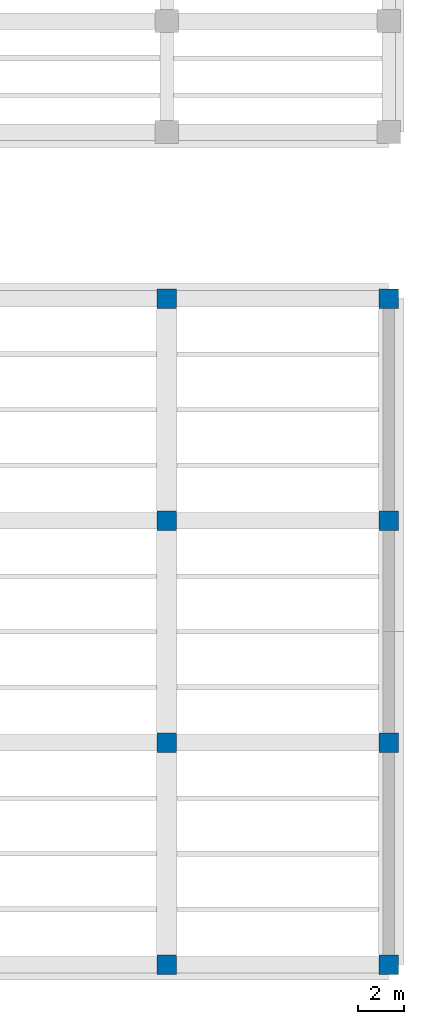
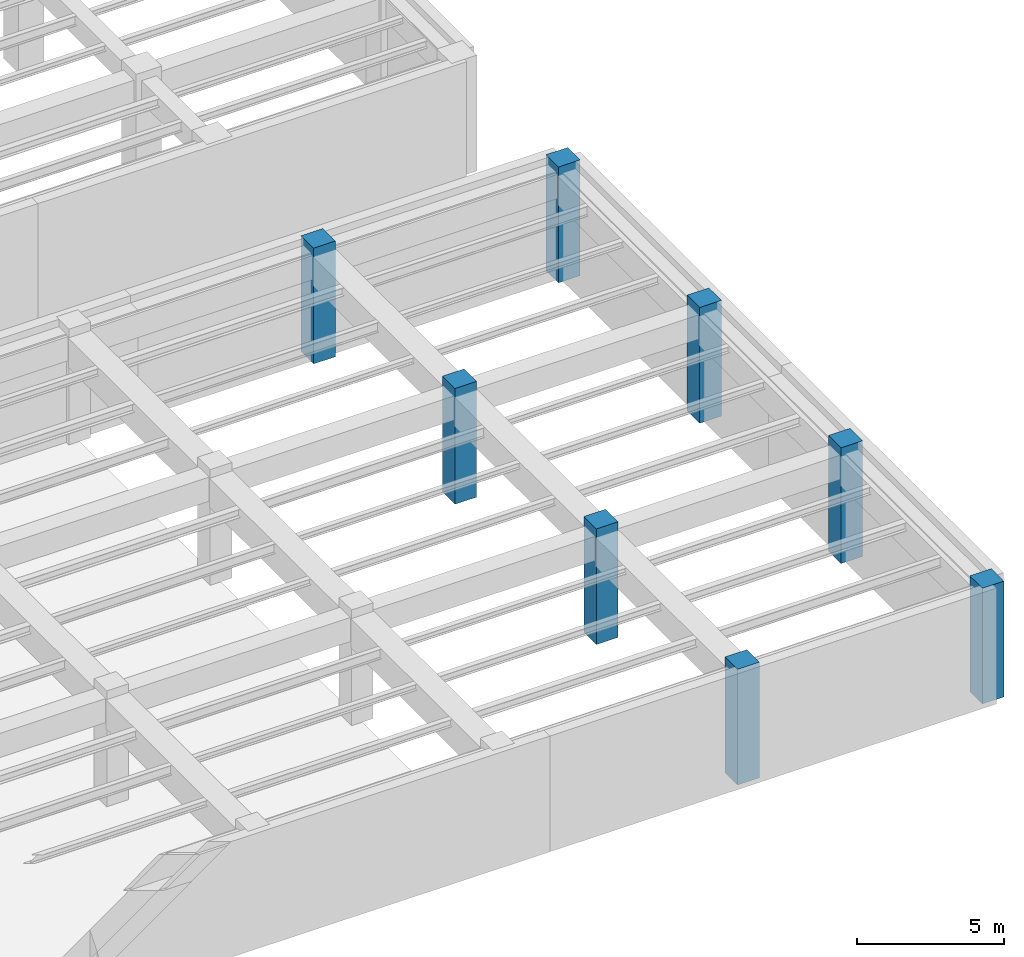
# One storey, part 12 of 45: 8 columns.
"""IFC4 building model written with IfcOpenShell, lengths in metres."""

import ifcopenshell
import ifcopenshell.guid

model = None  # the IFC model being written
_history = None  # IfcOwnerHistory: only IFC2X3 demands one
_inside = {}  # id of a spatial element -> (the spatial element, [elements in it])
_under = {}  # id of a project, library or spatial element -> (it, [spatial elements below it])
_declared = {}  # id of a project -> (the project, [libraries it declares])
_typed = {}  # id of a type object -> (the type object, [elements of that type])
_made_of = {}  # id of a material, layer set ... -> (it, [elements and type objects made of it])


def new_model(schema):
    """Start an empty IFC model of exactly this schema.

    Asked for "IFC4X3", IfcOpenShell would pick the latest addendum, in which some entities
    have other attributes; the version numbers below select the first issue.
    IFC2X3 requires an IfcOwnerHistory on every rooted entity: one is made here for all.
    """
    global model, _history
    if schema == "IFC4X3":
        model = ifcopenshell.file(schema_version=(4, 3, 0, 0))
    else:
        model = ifcopenshell.file(schema=schema)
    _inside.clear()
    _under.clear()
    _declared.clear()
    _typed.clear()
    _made_of.clear()
    _history = None
    if model.schema == "IFC2X3":
        org = make("IfcOrganization", Name="unknown")
        user = make(
            "IfcPersonAndOrganization",
            ThePerson=make("IfcPerson", FamilyName="unknown"),
            TheOrganization=org,
        )
        app = make(
            "IfcApplication",
            ApplicationDeveloper=org,
            Version="unknown",
            ApplicationFullName="unknown",
            ApplicationIdentifier="unknown",
        )
        _history = make(
            "IfcOwnerHistory",
            OwningUser=user,
            OwningApplication=app,
            ChangeAction="ADDED",
            CreationDate=0,
        )
    return model


def make(cls, **values):
    """One entity of the class cls with the attributes given. An attribute that is None is left unset."""
    return model.create_entity(
        cls, **{name: value for name, value in values.items() if value is not None}
    )


def rooted(cls, **values):
    """An entity with a GlobalId (a new one), such as an element, a storey or a relation."""
    return make(cls, GlobalId=ifcopenshell.guid.new(), OwnerHistory=_history, **values)


def si_unit(unit_type, name, prefix=None):
    """IfcSIUnit, for example si_unit("LENGTHUNIT", "METRE", prefix="MILLI")."""
    return make("IfcSIUnit", UnitType=unit_type, Prefix=prefix, Name=name)


def assignment(units):
    """IfcUnitAssignment: the units of a project."""
    return None if units is None else make("IfcUnitAssignment", Units=units)


def point(xyz):
    """IfcCartesianPoint."""
    return None if xyz is None else make("IfcCartesianPoint", Coordinates=xyz)


def direction(xyz):
    """IfcDirection."""
    return None if xyz is None else make("IfcDirection", DirectionRatios=xyz)


def frame(location, z_axis=None, x_axis=None):
    """IfcAxis2Placement3D, a coordinate frame: its origin and axes. An axis left out is left unset."""
    return make(
        "IfcAxis2Placement3D",
        Location=point(location),
        Axis=direction(z_axis),
        RefDirection=direction(x_axis),
    )


def frame_2d(location, x_axis=None):
    """IfcAxis2Placement2D, a coordinate frame in the plane: its origin and x axis."""
    return make(
        "IfcAxis2Placement2D", Location=point(location), RefDirection=direction(x_axis)
    )


def origin():
    """The frame at (0, 0, 0) with its axes left unset."""
    return frame((0.0, 0.0, 0.0))


def origin_2d():
    """The frame at (0, 0) in the plane with its x axis left unset."""
    return frame_2d((0.0, 0.0))


def place(relative_to, where):
    """IfcLocalPlacement: puts the frame where relative to a parent placement (None: the world)."""
    return make(
        "IfcLocalPlacement", PlacementRelTo=relative_to, RelativePlacement=where
    )


def context(
    kind, dimensions, precision=None, world=None, true_north=None, identifier=None
):
    """IfcGeometricRepresentationContext, for example the 3D "Model" context."""
    return make(
        "IfcGeometricRepresentationContext",
        ContextIdentifier=identifier,
        ContextType=kind,
        CoordinateSpaceDimension=dimensions,
        Precision=precision,
        WorldCoordinateSystem=world,
        TrueNorth=true_north,
    )


def subcontext(parent, identifier, kind, view, scale=None):
    """IfcGeometricRepresentationSubContext, for example "Body" below "Model"."""
    return make(
        "IfcGeometricRepresentationSubContext",
        ContextIdentifier=identifier,
        ContextType=kind,
        ParentContext=parent,
        TargetScale=scale,
        TargetView=view,
    )


def project(units=None, contexts=None):
    """IfcProject with its units and contexts."""
    return rooted(
        "IfcProject",
        Name="project",
        RepresentationContexts=contexts,
        UnitsInContext=assignment(units),
    )


def spatial(cls, under=None, at=None, **own):
    """A site, building, storey or space (cls), placed at a placement, below another one or the project."""
    s = rooted(cls, ObjectPlacement=at, **own)
    if under is not None:
        _under.setdefault(under.id(), (under, []))[1].append(s)
    return s


def profile(cls, at=None, kind="AREA", **sizes):
    """A parametric profile (cls). Its sizes go by their IFC names, for example OverallWidth=200.0."""
    return make(cls, ProfileType=kind, Position=at, **sizes)


def rectangle(**sizes):
    """IfcRectangleProfileDef."""
    return profile("IfcRectangleProfileDef", **sizes)


def extrude(swept, where, along, depth):
    """IfcExtrudedAreaSolid: the profile swept, set in the frame where, extruded along a direction by depth."""
    return make(
        "IfcExtrudedAreaSolid",
        SweptArea=swept,
        Position=where,
        ExtrudedDirection=direction(along),
        Depth=depth,
    )


def shape(context_of_items, identifier, shape_type, items):
    """IfcShapeRepresentation: the items that make up one representation, for example the "Body"."""
    return make(
        "IfcShapeRepresentation",
        ContextOfItems=context_of_items,
        RepresentationIdentifier=identifier,
        RepresentationType=shape_type,
        Items=items,
    )


def material(Name=None, Category=None):
    """IfcMaterial."""
    return make("IfcMaterial", Name=Name, Category=Category)


def material_profile(
    of_material, cross_section, Name=None, Category=None, Priority=None
):
    """IfcMaterialProfile: a cross section and its material."""
    return make(
        "IfcMaterialProfile",
        Name=Name,
        Material=of_material,
        Profile=cross_section,
        Priority=Priority,
        Category=Category,
    )


def profile_set(profiles, Name=None, composite=None):
    """IfcMaterialProfileSet."""
    return make(
        "IfcMaterialProfileSet",
        Name=Name,
        MaterialProfiles=profiles,
        CompositeProfile=composite,
    )


def made_of(thing, what):
    """Note that an element or type object is made of a material, layer set ...; save() writes the relation."""
    if what is not None:
        _made_of.setdefault(what.id(), (what, []))[1].append(thing)
    return thing


def type_object(cls, material=None, **own):
    """A type object (cls), such as IfcWallType, which elements share."""
    return made_of(rooted(cls, **own), material)


def element(
    cls,
    number,
    at=None,
    inside=None,
    cuts=None,
    type_object=None,
    material=None,
    context=None,
    identifier="Body",
    shape_type=None,
    held_by="IfcProductDefinitionShape",
    body=None,
    shapes=None,
    **own,
):
    """One element of the class cls, such as IfcWall. Its Tag is "e" and its number.

    at: its placement. inside: the storey or other place that contains it. cuts: it is an
    opening in that element (IfcRelVoidsElement). A single representation is given by context,
    identifier, shape_type and body (its items); several are given by shapes. held_by: the class
    of the entity that holds the representations. save() writes the other relations.
    """
    e = rooted(cls, Tag="e%d" % number, ObjectPlacement=at, **own)
    if body is not None:
        shapes = [shape(context, identifier, shape_type, body)]
    if shapes is not None:
        e.Representation = make(held_by, Representations=shapes)
    if inside is not None:
        _inside.setdefault(inside.id(), (inside, []))[1].append(e)
    if cuts is not None:
        rooted(
            "IfcRelVoidsElement", RelatingBuildingElement=cuts, RelatedOpeningElement=e
        )
    if type_object is not None:
        _typed.setdefault(type_object.id(), (type_object, []))[1].append(e)
    return made_of(e, material)


def aggregate(whole, parts):
    """IfcRelAggregates: a whole, such as a stair, and the parts it consists of."""
    return rooted("IfcRelAggregates", RelatingObject=whole, RelatedObjects=parts)


def save(model, path):
    """Write the relations noted so far, then the file.

    IfcRelAggregates (storeys below a building ...), IfcRelContainedInSpatialStructure (elements
    in a storey), IfcRelDefinesByType, IfcRelAssociatesMaterial and IfcRelDeclares: one each for
    every whole, place, type object, material and project.
    """
    for whole, parts in _under.values():
        aggregate(whole, parts)
    for where, things in _inside.values():
        rooted(
            "IfcRelContainedInSpatialStructure",
            RelatedElements=things,
            RelatingStructure=where,
        )
    for kind, things in _typed.values():
        rooted("IfcRelDefinesByType", RelatedObjects=things, RelatingType=kind)
    for what, things in _made_of.values():
        rooted("IfcRelAssociatesMaterial", RelatedObjects=things, RelatingMaterial=what)
    for by, libraries in _declared.values():
        rooted("IfcRelDeclares", RelatingContext=by, RelatedDefinitions=libraries)
    model.write(path)


model = new_model("IFC4")

# Units and contexts
model_context = context("Model", 3, precision=1e-05, world=origin(), true_north=direction((0.0, 1.0)))
body_context = subcontext(model_context, "Body", "Model", "MODEL_VIEW")
ifc_project = project(units=[si_unit("LENGTHUNIT", "METRE"), si_unit("AREAUNIT", "SQUARE_METRE"), si_unit("VOLUMEUNIT", "CUBIC_METRE"), si_unit("PLANEANGLEUNIT", "RADIAN"), si_unit("MASSUNIT", "GRAM", prefix="KILO")], contexts=[model_context])

# Site, building, storey
site_placement = place(None, origin())
site = spatial("IfcSite", under=ifc_project, at=site_placement, CompositionType="ELEMENT")
building_placement = place(site_placement, origin())
building = spatial("IfcBuilding", under=site, at=building_placement, Name="Mavantir Sound Aquarium", CompositionType="ELEMENT")
storey_placement = place(building_placement, frame((0.0, 0.0, -4.800048828125)))
storey = spatial("IfcBuildingStorey", under=building, at=storey_placement, Name="B1", CompositionType="ELEMENT", Elevation=-4.800048828125)

# Columns
ifc_material = material(Name="Concrete C40/50", Category="concrete")
ifc_material_profile_1 = material_profile(ifc_material, rectangle(XDim=0.85009765625, YDim=0.85009765625, at=origin_2d()), Name="RC 850X850")
ifc_profile_set_1 = profile_set([ifc_material_profile_1], Name="Concrete C40/50")
column_type_1 = type_object("IfcColumnType", Name="COL-RC850-E", PredefinedType="COLUMN", material=ifc_profile_set_1)
for number, where, z_axis, x_axis, name in (
    (1, (165.60009765625, 0.0, 0.0), (0.0, 0.0, 1.0), (1.0, 0.0, 0.0), "B1 column RC-C85 (V6)"),
    (2, (175.199951171875, 0.0, 0.0), (0.0, 0.0, 1.0), (1.0, 0.0, 0.0), "B1 column RC-C85 (V6)"),
    (3, (175.199951171875, 9.60009765625, 0.0), (0.0, 0.0, 1.0), (1.0, 0.0, 0.0), "B1 column RC-C85 (V6)"),
    (4, (175.199951171875, 19.199951171875, 0.0), (0.0, 0.0, 1.0), (1.0, 0.0, 0.0), "B1 column RC-C85 (V6)"),
    (5, (175.199951171875, 28.800048828125, 0.0), (0.0, 0.0, 1.0), (1.0, 0.0, 0.0), "B1 column RC-C85 (V6)"),
):
    element("IfcColumn", number, at=place(storey_placement, frame(where, z_axis=z_axis, x_axis=x_axis)), inside=storey, type_object=column_type_1, Name=name, PredefinedType="COLUMN", context=body_context, shape_type="SweptSolid", body=[
        extrude(rectangle(XDim=0.85009765625, YDim=0.85009765625, at=origin_2d()), origin(), (0.0, 0.0, 1.0), 4.800048828125),
    ])
ifc_material_profile_2 = material_profile(ifc_material, rectangle(XDim=0.85009765625, YDim=0.85009765625, at=origin_2d()), Name="RC 850X850")
ifc_profile_set_2 = profile_set([ifc_material_profile_2], Name="Concrete C40/50")
column_type_2 = type_object("IfcColumnType", Name="COL-RC850-I", PredefinedType="COLUMN", material=ifc_profile_set_2)
for number, where, z_axis, x_axis, name in (
    (6, (165.60009765625, 9.60009765625, 0.0), (0.0, 0.0, 1.0), (1.0, 0.0, 0.0), "B1 column RC-C85 (V6)"),
    (7, (165.60009765625, 19.199951171875, 0.0), (0.0, 0.0, 1.0), (1.0, 0.0, 0.0), "B1 column RC-C85 (V6)"),
    (8, (165.60009765625, 28.800048828125, 0.0), (0.0, 0.0, 1.0), (1.0, 0.0, 0.0), "B1 column RC-C85 (V6)"),
):
    element("IfcColumn", number, at=place(storey_placement, frame(where, z_axis=z_axis, x_axis=x_axis)), inside=storey, type_object=column_type_2, Name=name, PredefinedType="COLUMN", context=body_context, shape_type="SweptSolid", body=[
        extrude(rectangle(XDim=0.85009765625, YDim=0.85009765625, at=origin_2d()), origin(), (0.0, 0.0, 1.0), 4.800048828125),
    ])

save(model, "model.ifc")
